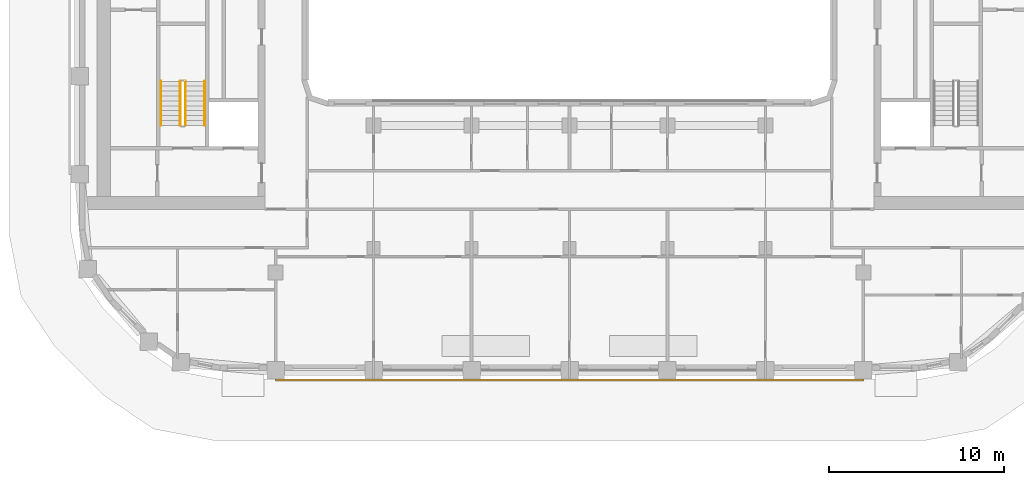
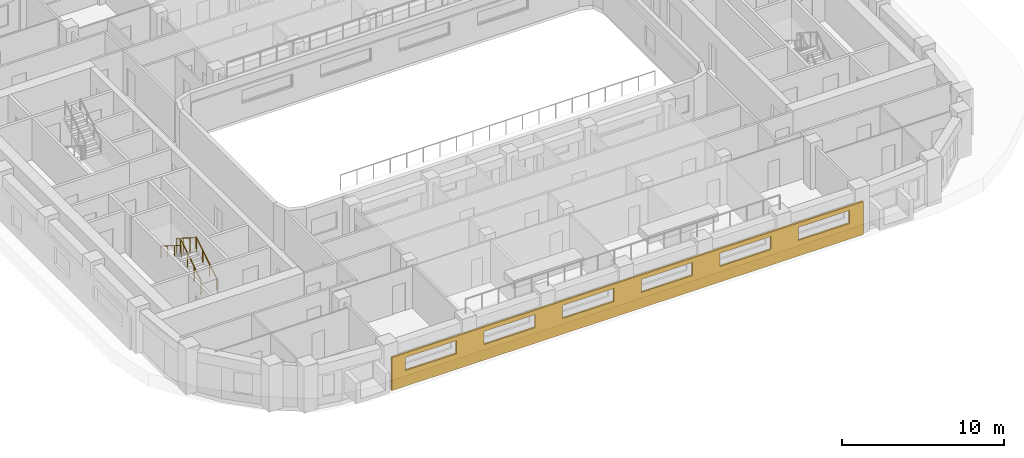
# One storey, part 12 of 17: 4 railings, 1 covering.
"""IFC4 building model written with IfcOpenShell, lengths in metres."""

from ifc_helpers import new_model, si_unit, direction, frame, origin, origin_2d, place, context, subcontext, project, spatial, polyline, circle, outline, extrude, material, layer, layer_set, type_object, element, save


model = new_model("IFC4")

# Units and contexts
model_context = context("Model", 3, precision=1e-05, world=origin(), true_north=direction((0.0, 1.0)))
body_context = subcontext(model_context, "Body", "Model", "MODEL_VIEW")
ifc_project = project(units=[si_unit("LENGTHUNIT", "METRE"), si_unit("AREAUNIT", "SQUARE_METRE"), si_unit("VOLUMEUNIT", "CUBIC_METRE"), si_unit("PLANEANGLEUNIT", "RADIAN"), si_unit("MASSUNIT", "GRAM", prefix="KILO")], contexts=[model_context])

# Site, building, storey
site_placement = place(None, origin())
site = spatial("IfcSite", under=ifc_project, at=site_placement, CompositionType="ELEMENT")
building_placement = place(site_placement, origin())
building = spatial("IfcBuilding", under=site, at=building_placement, Name="Kiln Ring Residences", CompositionType="ELEMENT")
storey_placement = place(building_placement, frame((0.0, 0.0, 174.60009765625)))
storey = spatial("IfcBuildingStorey", under=building, at=storey_placement, Name="L45", CompositionType="ELEMENT", Elevation=174.60009765625)

# Railings
ifc_material_1 = material(Name="Stainless steel", Category="steel")
railing_type_1 = type_object("IfcRailingType", Name="CORE-STAIR-GUARD", PredefinedType="GUARDRAIL", material=ifc_material_1)
railing_1_placement = place(storey_placement, frame((-21.949951171875, -8.39990234375, 0.1748046875)))
element("IfcRailing", 1, at=railing_1_placement, inside=storey, type_object=railing_type_1, Name="L45 W-STS stair guard 1", PredefinedType="GUARDRAIL", context=body_context, shape_type="SweptSolid", body=[
    extrude(circle(Radius=0.02392578125, at=origin_2d()), frame((0.0, 0.0, 1.076171875), z_axis=(0.0, 0.847970611238, 0.530043245855), x_axis=(-1.0, 0.0, 0.0)), (0.0, 0.0, 1.0), 2.971923828125),
    extrude(circle(Radius=0.02099609375, at=origin_2d()), origin(), (0.0, 0.0, 1.0), 1.052001953125),
    extrude(circle(Radius=0.02099609375, at=origin_2d()), frame((0.0, 0.840087890625, 0.525146484375)), (0.0, 0.0, 1.0), 1.052001953125),
    extrude(circle(Radius=0.02099609375, at=origin_2d()), frame((0.0, 1.679931640625, 1.050048828125)), (0.0, 0.0, 1.0), 1.052001953125),
    extrude(circle(Radius=0.02099609375, at=origin_2d()), frame((0.0, 2.52001953125, 1.5751953125)), (0.0, 0.0, 1.0), 1.052001953125),
])
railing_2_placement = place(storey_placement, frame((-22.25, -5.8798828125, 1.9248046875)))
element("IfcRailing", 2, at=railing_2_placement, inside=storey, type_object=railing_type_1, Name="L45 W-STS stair guard 3", PredefinedType="GUARDRAIL", context=body_context, shape_type="SweptSolid", body=[
    extrude(circle(Radius=0.02392578125, at=origin_2d()), frame((0.0, 0.0, 1.076171875), z_axis=(0.0, -0.847970611238, 0.530043245855), x_axis=(1.0, 0.0, 0.0)), (0.0, 0.0, 1.0), 2.971923828125),
    extrude(circle(Radius=0.02099609375, at=origin_2d()), origin(), (0.0, 0.0, 1.0), 1.052001953125),
    extrude(circle(Radius=0.02099609375, at=origin_2d()), frame((0.0, -0.840087890625, 0.525146484375)), (0.0, 0.0, 1.0), 1.052001953125),
    extrude(circle(Radius=0.02099609375, at=origin_2d()), frame((0.0, -1.679931640625, 1.050048828125)), (0.0, 0.0, 1.0), 1.052001953125),
    extrude(circle(Radius=0.02099609375, at=origin_2d()), frame((0.0, -2.52001953125, 1.5751953125)), (0.0, 0.0, 1.0), 1.052001953125),
])
ifc_material_2 = material(Name="Stainless steel", Category="steel")
railing_type_2 = type_object("IfcRailingType", Name="CORE-STAIR-HANDRAIL", PredefinedType="HANDRAIL", material=ifc_material_2)
railing_3_placement = place(storey_placement, frame((-20.85009765625, -8.39990234375, 0.1748046875)))
element("IfcRailing", 3, at=railing_3_placement, inside=storey, type_object=railing_type_2, Name="L45 W-STS stair handrail 1", PredefinedType="HANDRAIL", context=body_context, shape_type="SweptSolid", body=[
    extrude(circle(Radius=0.02392578125, at=origin_2d()), frame((0.0, 0.0, 0.8759765625), z_axis=(0.0, 0.847970611238, 0.530043245855), x_axis=(-1.0, 0.0, 0.0)), (0.0, 0.0, 1.0), 2.971923828125),
    extrude(circle(Radius=0.02099609375, at=origin_2d()), origin(), (0.0, 0.0, 1.0), 0.851806640625),
    extrude(circle(Radius=0.02099609375, at=origin_2d()), frame((0.0, 0.840087890625, 0.525146484375)), (0.0, 0.0, 1.0), 0.851806640625),
    extrude(circle(Radius=0.02099609375, at=origin_2d()), frame((0.0, 1.679931640625, 1.050048828125)), (0.0, 0.0, 1.0), 0.851806640625),
    extrude(circle(Radius=0.02099609375, at=origin_2d()), frame((0.0, 2.52001953125, 1.5751953125)), (0.0, 0.0, 1.0), 0.851806640625),
])
railing_4_placement = place(storey_placement, frame((-23.35009765625, -5.8798828125, 1.9248046875)))
element("IfcRailing", 4, at=railing_4_placement, inside=storey, type_object=railing_type_2, Name="L45 W-STS stair handrail 2", PredefinedType="HANDRAIL", context=body_context, shape_type="SweptSolid", body=[
    extrude(circle(Radius=0.02392578125, at=origin_2d()), frame((0.0, 0.0, 0.8759765625), z_axis=(0.0, -0.847970611238, 0.530043245855), x_axis=(1.0, 0.0, 0.0)), (0.0, 0.0, 1.0), 2.971923828125),
    extrude(circle(Radius=0.02099609375, at=origin_2d()), origin(), (0.0, 0.0, 1.0), 0.851806640625),
    extrude(circle(Radius=0.02099609375, at=origin_2d()), frame((0.0, -0.840087890625, 0.525146484375)), (0.0, 0.0, 1.0), 0.851806640625),
    extrude(circle(Radius=0.02099609375, at=origin_2d()), frame((0.0, -1.679931640625, 1.050048828125)), (0.0, 0.0, 1.0), 0.851806640625),
    extrude(circle(Radius=0.02099609375, at=origin_2d()), frame((0.0, -2.52001953125, 1.5751953125)), (0.0, 0.0, 1.0), 0.851806640625),
])

# Covering
ifc_material_3 = material(Name="Brick masonry, dark clay brick", Category="masonry")
ifc_layer = layer(ifc_material_3, 0.1201171875)
ifc_layer_set = layer_set([ifc_layer], Name="RAINSCREEN PANEL 120")
covering_type = type_object("IfcCoveringType", Name="RAINSCREEN PANEL 120", PredefinedType="CLADDING", material=ifc_layer_set)
covering_placement = place(storey_placement, frame((-16.800048828125, -22.9599609375, 0.0), z_axis=(0.0, 0.0, 1.0), x_axis=(1.0, 0.0, 0.0)))
element("IfcCovering", 5, at=covering_placement, inside=storey, type_object=covering_type, Name="RAINSCREEN L45", PredefinedType="CLADDING", context=body_context, shape_type="SweptSolid", body=[
    extrude(outline(polyline([(0.0, 0.0), (33.60009765625, 0.0), (33.60009765625, 2.5), (0.0, 2.5), (0.0, 0.0)]), holes=[polyline([(4.6201171875, 1.179931640625), (4.6201171875, 2.169921875), (0.97998046875, 2.169921875), (0.97998046875, 1.179931640625), (4.6201171875, 1.179931640625)]), polyline([(6.580078125, 1.179931640625), (10.219970703125, 1.179931640625), (10.219970703125, 2.169921875), (6.580078125, 2.169921875), (6.580078125, 1.179931640625)]), polyline([(12.179931640625, 1.179931640625), (15.820068359375, 1.179931640625), (15.820068359375, 2.169921875), (12.179931640625, 2.169921875), (12.179931640625, 1.179931640625)]), polyline([(21.419921875, 1.179931640625), (21.419921875, 2.169921875), (17.780029296875, 2.169921875), (17.780029296875, 1.179931640625), (21.419921875, 1.179931640625)]), polyline([(23.3798828125, 1.179931640625), (27.02001953125, 1.179931640625), (27.02001953125, 2.169921875), (23.3798828125, 2.169921875), (23.3798828125, 1.179931640625)]), polyline([(28.97998046875, 1.179931640625), (32.6201171875, 1.179931640625), (32.6201171875, 2.169921875), (28.97998046875, 2.169921875), (28.97998046875, 1.179931640625)])]), frame((0.0, 0.06005859375, 0.0), z_axis=(0.0, -1.0, 0.0), x_axis=(1.0, 0.0, 0.0)), (0.0, 0.0, 1.0), 0.1201171875),
])

save(model, "model.ifc")
